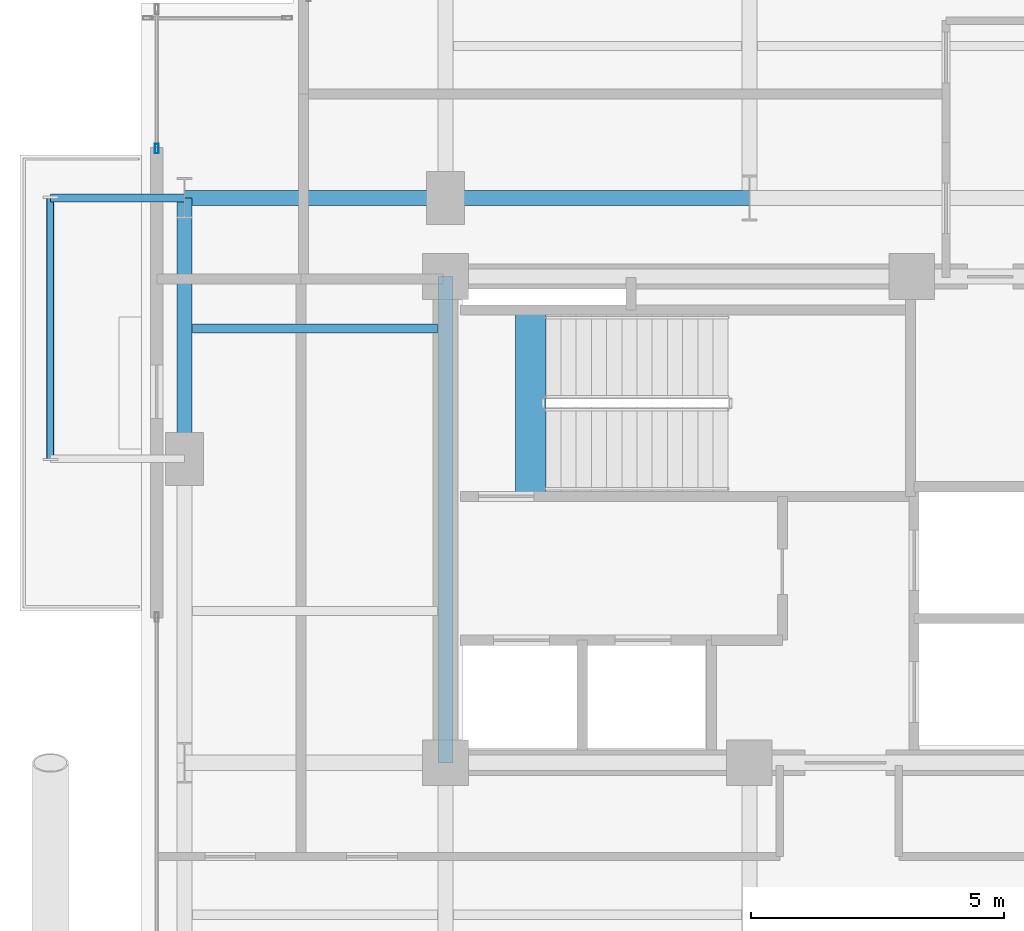
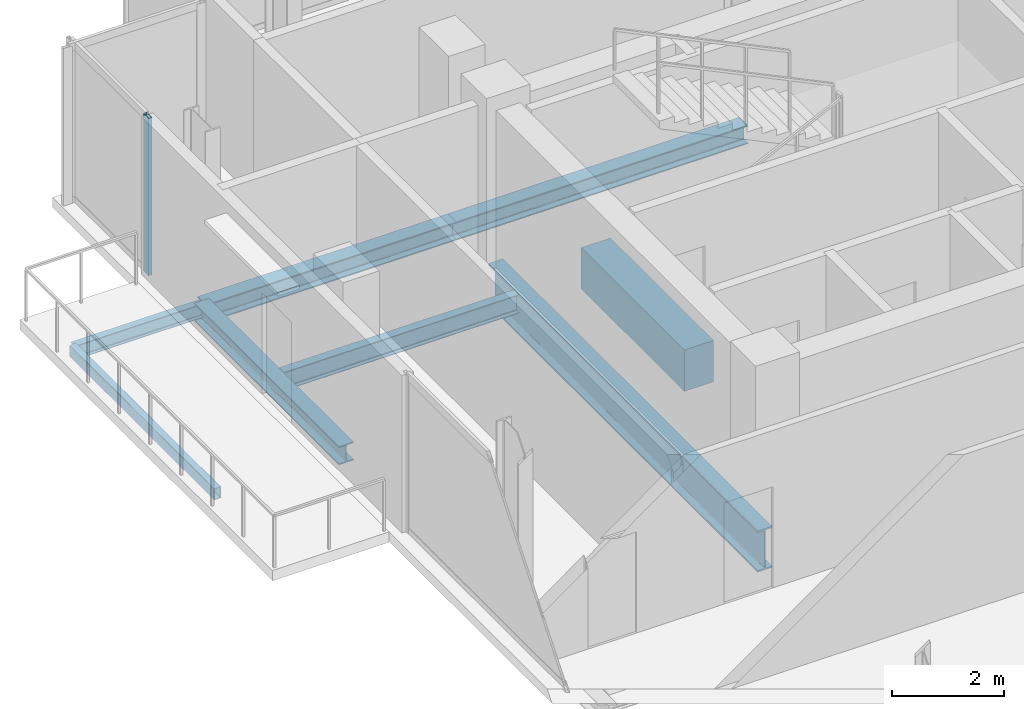
# One storey, part 8 of 25: 8 beams, 1 member, 1 element without a shape of its own.
"""IFC4 building model written with IfcOpenShell, lengths in metres."""

from ifc_helpers import new_model, si_unit, direction, frame, origin, origin_2d, place, context, subcontext, project, spatial, rectangle, hollow_rectangle, i_section, extrude, material, layer, layer_set, material_profile, profile_set, type_object, element, aggregate, save


model = new_model("IFC4")

# Units and contexts
model_context = context("Model", 3, precision=1e-05, world=origin(), true_north=direction((0.0, 1.0)))
body_context = subcontext(model_context, "Body", "Model", "MODEL_VIEW")
ifc_project = project(units=[si_unit("LENGTHUNIT", "METRE"), si_unit("AREAUNIT", "SQUARE_METRE"), si_unit("VOLUMEUNIT", "CUBIC_METRE"), si_unit("PLANEANGLEUNIT", "RADIAN"), si_unit("MASSUNIT", "GRAM", prefix="KILO"), si_unit("THERMODYNAMICTEMPERATUREUNIT", "KELVIN"), si_unit("POWERUNIT", "WATT")], contexts=[model_context])

# Site, building, storey
site_placement = place(None, origin())
site = spatial("IfcSite", under=ifc_project, at=site_placement, CompositionType="ELEMENT")
building_placement = place(site_placement, origin())
building = spatial("IfcBuilding", under=site, at=building_placement, Name="Svarakhadi Broadcast Tower", CompositionType="ELEMENT")
storey_placement = place(building_placement, frame((0.0, 0.0, 231.14990234375)))
storey = spatial("IfcBuildingStorey", under=building, at=storey_placement, Name="L57", CompositionType="ELEMENT", Elevation=231.14990234375)

# Beam
ifc_material_1 = material(Name="Steel S355J2 (IS 2062 E350C)", Category="steel")
ifc_material_profile_1 = material_profile(ifc_material_1, i_section(OverallWidth=0.179931640625, OverallDepth=0.39990234375, WebThickness=0.008544921875, FlangeThickness=0.013427734375, FilletRadius=0.02099609375, at=origin_2d()), Name="NPB 400x180x66")
ifc_profile_set_1 = profile_set([ifc_material_profile_1], Name="Steel S355J2 (IS 2062 E350C)")
beam_type_1 = type_object("IfcBeamType", Name="Beam_NPB400", PredefinedType="BEAM", material=ifc_profile_set_1)
beam_1_placement = place(storey_placement, frame((1.010009765625, 26.574951171875, -0.409912109375), z_axis=(1.0, 0.0, 0.0), x_axis=(0.0, 1.0, 0.0)))
element("IfcBeam", 1, at=beam_1_placement, inside=storey, type_object=beam_type_1, Name="L57 Secondary Composite Beam SB004", PredefinedType="BEAM", context=body_context, shape_type="SweptSolid", body=[
    extrude(i_section(OverallWidth=0.179931640625, OverallDepth=0.39990234375, WebThickness=0.008544921875, FlangeThickness=0.013427734375, FilletRadius=0.02099609375, at=origin_2d()), origin(), (0.0, 0.0, 1.0), 4.830078125),
])

# Curtain wall, member
ifc_material_2 = material(Name="Anodised Bronze Aluminium AA 6063-T6", Category="aluminium")
ifc_layer = layer(ifc_material_2, 0.18994140625)
ifc_layer_set = layer_set([ifc_layer], Name="Anodised Bronze Aluminium AA 6063-T6")
curtain_wall_type = type_object("IfcCurtainWallType", Name="CW_Sys_04", PredefinedType="NOTDEFINED", material=ifc_layer_set)
curtain_wall_placement = place(storey_placement, origin())
curtain_wall = element("IfcCurtainWall", 2, at=curtain_wall_placement, inside=storey, type_object=curtain_wall_type, Name="L57 West Curtain Wall 03", PredefinedType="NOTDEFINED")
ifc_material_profile_2 = material_profile(ifc_material_2, hollow_rectangle(XDim=0.070068359375, YDim=0.18994140625, WallThickness=0.005615234375, at=origin_2d()), Name="ALU MULLION 190x70x6")
ifc_profile_set_2 = profile_set([ifc_material_profile_2], Name="Anodised Bronze Aluminium AA 6063-T6")
member_type = type_object("IfcMemberType", Name="CW_Sys_04_Mul", PredefinedType="MULLION", material=ifc_profile_set_2)
member_placement = place(storey_placement, frame((0.300048828125, 30.125, 0.0), z_axis=(0.0, 0.0, 1.0), x_axis=(-1.0, 0.0, 0.0)))
member = element("IfcMember", 3, at=member_placement, type_object=member_type, Name="CW-04 mullion 1", PredefinedType="MULLION", context=body_context, shape_type="SweptSolid", body=[
    extrude(hollow_rectangle(XDim=0.070068359375, YDim=0.18994140625, WallThickness=0.005615234375, at=origin_2d()), origin(), (0.0, 0.0, 1.0), 3.425048828125),
])
aggregate(curtain_wall, [member])

# Beams
ifc_material_3 = material(Name="Concrete C50/60 (IS 456 M60)", Category="concrete")
ifc_material_profile_3 = material_profile(ifc_material_3, rectangle(XDim=0.60009765625, YDim=0.89990234375, at=origin_2d()), Name="RC 600x900")
ifc_profile_set_3 = profile_set([ifc_material_profile_3], Name="Concrete C50/60 (IS 456 M60)")
beam_type_2 = type_object("IfcBeamType", Name="Coupling_RC600", PredefinedType="USERDEFINED", material=ifc_profile_set_3)
beam_2_placement = place(storey_placement, frame((7.679931640625, 23.260009765625, -0.449951171875), z_axis=(0.0, 1.0, 0.0), x_axis=(-1.0, 0.0, 0.0)))
element("IfcBeam", 4, at=beam_2_placement, inside=storey, type_object=beam_type_2, Name="L57 Stair ST-01 Landing Throat Trimmer Beam CB-01", ObjectType="GIRDER", PredefinedType="USERDEFINED", context=body_context, shape_type="SweptSolid", body=[
    extrude(rectangle(XDim=0.60009765625, YDim=0.89990234375, at=origin_2d()), origin(), (0.0, 0.0, 1.0), 3.679931640625),
])
ifc_material_profile_4 = material_profile(ifc_material_1, i_section(OverallWidth=0.300048828125, OverallDepth=0.39990234375, WebThickness=0.013427734375, FlangeThickness=0.02392578125, FilletRadius=0.027099609375, at=origin_2d()), Name="WPB 400x300x155")
ifc_profile_set_4 = profile_set([ifc_material_profile_4], Name="Steel S355J2 (IS 2062 E350C)")
beam_type_3 = type_object("IfcBeamType", Name="Girder_WPB400", PredefinedType="USERDEFINED", material=ifc_profile_set_4)
beam_3_placement = place(storey_placement, frame((0.85009765625, 29.14990234375, -0.409912109375), z_axis=(1.0, 0.0, 0.0), x_axis=(0.0, 1.0, 0.0)))
element("IfcBeam", 5, at=beam_3_placement, inside=storey, type_object=beam_type_3, Name="L57 Primary E-W Girder G028", ObjectType="GIRDER", PredefinedType="USERDEFINED", context=body_context, shape_type="SweptSolid", body=[
    extrude(i_section(OverallWidth=0.300048828125, OverallDepth=0.39990234375, WebThickness=0.013427734375, FlangeThickness=0.02392578125, FilletRadius=0.027099609375, at=origin_2d()), origin(), (0.0, 0.0, 1.0), 5.14990234375),
])
beam_4_placement = place(storey_placement, frame((6.0, 29.14990234375, -0.409912109375), z_axis=(1.0, 0.0, 0.0), x_axis=(0.0, 1.0, 0.0)))
element("IfcBeam", 6, at=beam_4_placement, inside=storey, type_object=beam_type_3, Name="L57 Primary E-W Girder G029", ObjectType="GIRDER", PredefinedType="USERDEFINED", context=body_context, shape_type="SweptSolid", body=[
    extrude(i_section(OverallWidth=0.300048828125, OverallDepth=0.39990234375, WebThickness=0.013427734375, FlangeThickness=0.02392578125, FilletRadius=0.027099609375, at=origin_2d()), origin(), (0.0, 0.0, 1.0), 6.0),
])
beam_5_placement = place(storey_placement, frame((0.85009765625, 24.0, -0.409912109375), z_axis=(0.0, 1.0, 0.0), x_axis=(-1.0, 0.0, 0.0)))
element("IfcBeam", 7, at=beam_5_placement, inside=storey, type_object=beam_type_3, Name="L57 Primary N-S Girder G036", ObjectType="GIRDER", PredefinedType="USERDEFINED", context=body_context, shape_type="SweptSolid", body=[
    extrude(i_section(OverallWidth=0.300048828125, OverallDepth=0.39990234375, WebThickness=0.013427734375, FlangeThickness=0.02392578125, FilletRadius=0.027099609375, at=origin_2d()), origin(), (0.0, 0.0, 1.0), 5.14990234375),
])
ifc_material_4 = material(Name="Steel S460ML (IS 2062 E450BR)", Category="steel")
ifc_material_profile_5 = material_profile(ifc_material_4, i_section(OverallWidth=0.300048828125, OverallDepth=0.89990234375, WebThickness=0.0185546875, FlangeThickness=0.034912109375, FilletRadius=0.030029296875, at=origin_2d()), Name="WPB 900x300x291")
ifc_profile_set_5 = profile_set([ifc_material_profile_5], Name="Steel S460ML (IS 2062 E450BR)")
beam_type_4 = type_object("IfcBeamType", Name="Girder_WPB900", PredefinedType="USERDEFINED", material=ifc_profile_set_5)
beam_6_placement = place(storey_placement, frame((6.0, 18.0, -0.659912109375), z_axis=(0.0, 1.0, 0.0), x_axis=(-1.0, 0.0, 0.0)))
element("IfcBeam", 8, at=beam_6_placement, inside=storey, type_object=beam_type_4, Name="L57 Primary N-S Girder G040", ObjectType="GIRDER", PredefinedType="USERDEFINED", context=body_context, shape_type="SweptSolid", body=[
    extrude(i_section(OverallWidth=0.300048828125, OverallDepth=0.89990234375, WebThickness=0.0185546875, FlangeThickness=0.034912109375, FilletRadius=0.030029296875, at=origin_2d()), origin(), (0.0, 0.0, 1.0), 9.60009765625),
])
ifc_material_profile_6 = material_profile(ifc_material_1, i_section(OverallWidth=0.14990234375, OverallDepth=0.300048828125, WebThickness=0.007080078125, FlangeThickness=0.0107421875, FilletRadius=0.014892578125, at=origin_2d()), Name="NPB 300x150x37")
ifc_profile_set_6 = profile_set([ifc_material_profile_6], Name="Steel S355J2 (IS 2062 E350C)")
beam_type_5 = type_object("IfcBeamType", Name="Spandrel_NPB300", PredefinedType="SPANDREL", material=ifc_profile_set_6)
beam_7_placement = place(storey_placement, frame((0.85009765625, 29.14990234375, -0.375), z_axis=(-1.0, 0.0, 0.0), x_axis=(0.0, -1.0, 0.0)))
element("IfcBeam", 9, at=beam_7_placement, inside=storey, type_object=beam_type_5, Name="L57 Balcony Cantilever Bracket 2B", PredefinedType="SPANDREL", context=body_context, shape_type="SweptSolid", body=[
    extrude(i_section(OverallWidth=0.14990234375, OverallDepth=0.300048828125, WebThickness=0.007080078125, FlangeThickness=0.0107421875, FilletRadius=0.014892578125, at=origin_2d()), origin(), (0.0, 0.0, 1.0), 2.650146484375),
])
ifc_material_profile_7 = material_profile(ifc_material_4, hollow_rectangle(XDim=0.14990234375, YDim=0.25, WallThickness=0.010009765625, InnerFilletRadius=0.010009765625, OuterFilletRadius=0.02001953125, at=origin_2d()), Name="RHS 250x150x10")
ifc_profile_set_7 = profile_set([ifc_material_profile_7], Name="Steel S460ML (IS 2062 E450BR)")
beam_type_6 = type_object("IfcBeamType", Name="Spandrel_RHS250", PredefinedType="SPANDREL", material=ifc_profile_set_7)
beam_8_placement = place(storey_placement, frame((-1.800048828125, 24.0, -0.349853515625), z_axis=(0.0, 1.0, 0.0), x_axis=(-1.0, 0.0, 0.0)))
element("IfcBeam", 10, at=beam_8_placement, inside=storey, type_object=beam_type_6, Name="L57 Balcony Outer Spandrel 2F", PredefinedType="SPANDREL", context=body_context, shape_type="SweptSolid", body=[
    extrude(hollow_rectangle(XDim=0.14990234375, YDim=0.25, WallThickness=0.010009765625, InnerFilletRadius=0.010009765625, OuterFilletRadius=0.02001953125, at=origin_2d()), origin(), (0.0, 0.0, 1.0), 5.14990234375),
])

save(model, "model.ifc")
